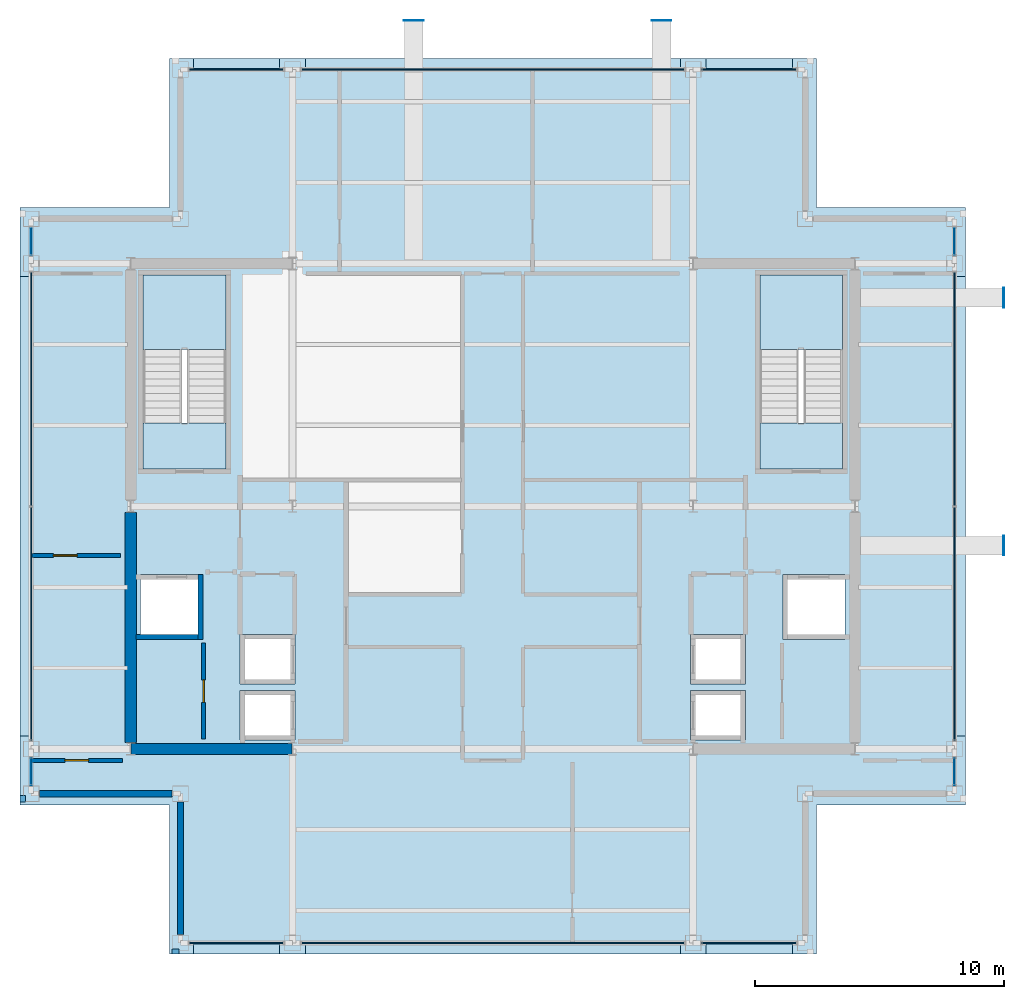
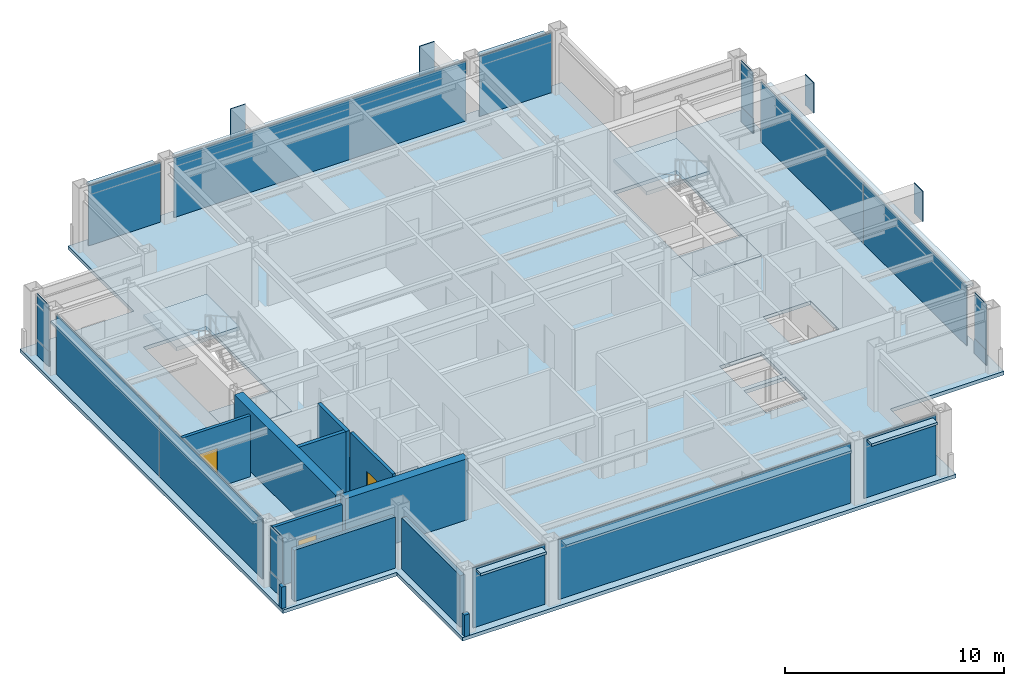
# One storey, part 16 of 20: 30 plates, 11 walls, 5 slabs, 3 doors, 3 openings, 14 elements without a shape of their own.
"""IFC4 building model written with IfcOpenShell, lengths in metres."""

import ifcopenshell
import ifcopenshell.guid

model = None  # the IFC model being written
_history = None  # IfcOwnerHistory: only IFC2X3 demands one
_inside = {}  # id of a spatial element -> (the spatial element, [elements in it])
_under = {}  # id of a project, library or spatial element -> (it, [spatial elements below it])
_declared = {}  # id of a project -> (the project, [libraries it declares])
_typed = {}  # id of a type object -> (the type object, [elements of that type])
_made_of = {}  # id of a material, layer set ... -> (it, [elements and type objects made of it])


def new_model(schema):
    """Start an empty IFC model of exactly this schema.

    Asked for "IFC4X3", IfcOpenShell would pick the latest addendum, in which some entities
    have other attributes; the version numbers below select the first issue.
    IFC2X3 requires an IfcOwnerHistory on every rooted entity: one is made here for all.
    """
    global model, _history
    if schema == "IFC4X3":
        model = ifcopenshell.file(schema_version=(4, 3, 0, 0))
    else:
        model = ifcopenshell.file(schema=schema)
    _inside.clear()
    _under.clear()
    _declared.clear()
    _typed.clear()
    _made_of.clear()
    _history = None
    if model.schema == "IFC2X3":
        org = make("IfcOrganization", Name="unknown")
        user = make(
            "IfcPersonAndOrganization",
            ThePerson=make("IfcPerson", FamilyName="unknown"),
            TheOrganization=org,
        )
        app = make(
            "IfcApplication",
            ApplicationDeveloper=org,
            Version="unknown",
            ApplicationFullName="unknown",
            ApplicationIdentifier="unknown",
        )
        _history = make(
            "IfcOwnerHistory",
            OwningUser=user,
            OwningApplication=app,
            ChangeAction="ADDED",
            CreationDate=0,
        )
    return model


def make(cls, **values):
    """One entity of the class cls with the attributes given. An attribute that is None is left unset."""
    return model.create_entity(
        cls, **{name: value for name, value in values.items() if value is not None}
    )


def rooted(cls, **values):
    """An entity with a GlobalId (a new one), such as an element, a storey or a relation."""
    return make(cls, GlobalId=ifcopenshell.guid.new(), OwnerHistory=_history, **values)


def si_unit(unit_type, name, prefix=None):
    """IfcSIUnit, for example si_unit("LENGTHUNIT", "METRE", prefix="MILLI")."""
    return make("IfcSIUnit", UnitType=unit_type, Prefix=prefix, Name=name)


def assignment(units):
    """IfcUnitAssignment: the units of a project."""
    return None if units is None else make("IfcUnitAssignment", Units=units)


def point(xyz):
    """IfcCartesianPoint."""
    return None if xyz is None else make("IfcCartesianPoint", Coordinates=xyz)


def direction(xyz):
    """IfcDirection."""
    return None if xyz is None else make("IfcDirection", DirectionRatios=xyz)


def frame(location, z_axis=None, x_axis=None):
    """IfcAxis2Placement3D, a coordinate frame: its origin and axes. An axis left out is left unset."""
    return make(
        "IfcAxis2Placement3D",
        Location=point(location),
        Axis=direction(z_axis),
        RefDirection=direction(x_axis),
    )


def frame_2d(location, x_axis=None):
    """IfcAxis2Placement2D, a coordinate frame in the plane: its origin and x axis."""
    return make(
        "IfcAxis2Placement2D", Location=point(location), RefDirection=direction(x_axis)
    )


def origin():
    """The frame at (0, 0, 0) with its axes left unset."""
    return frame((0.0, 0.0, 0.0))


def origin_2d():
    """The frame at (0, 0) in the plane with its x axis left unset."""
    return frame_2d((0.0, 0.0))


def place(relative_to, where):
    """IfcLocalPlacement: puts the frame where relative to a parent placement (None: the world)."""
    return make(
        "IfcLocalPlacement", PlacementRelTo=relative_to, RelativePlacement=where
    )


def context(
    kind, dimensions, precision=None, world=None, true_north=None, identifier=None
):
    """IfcGeometricRepresentationContext, for example the 3D "Model" context."""
    return make(
        "IfcGeometricRepresentationContext",
        ContextIdentifier=identifier,
        ContextType=kind,
        CoordinateSpaceDimension=dimensions,
        Precision=precision,
        WorldCoordinateSystem=world,
        TrueNorth=true_north,
    )


def subcontext(parent, identifier, kind, view, scale=None):
    """IfcGeometricRepresentationSubContext, for example "Body" below "Model"."""
    return make(
        "IfcGeometricRepresentationSubContext",
        ContextIdentifier=identifier,
        ContextType=kind,
        ParentContext=parent,
        TargetScale=scale,
        TargetView=view,
    )


def project(units=None, contexts=None):
    """IfcProject with its units and contexts."""
    return rooted(
        "IfcProject",
        Name="project",
        RepresentationContexts=contexts,
        UnitsInContext=assignment(units),
    )


def spatial(cls, under=None, at=None, **own):
    """A site, building, storey or space (cls), placed at a placement, below another one or the project."""
    s = rooted(cls, ObjectPlacement=at, **own)
    if under is not None:
        _under.setdefault(under.id(), (under, []))[1].append(s)
    return s


def polyline(points):
    """IfcPolyline through the points."""
    return make("IfcPolyline", Points=[point(p) for p in points])


def profile(cls, at=None, kind="AREA", **sizes):
    """A parametric profile (cls). Its sizes go by their IFC names, for example OverallWidth=200.0."""
    return make(cls, ProfileType=kind, Position=at, **sizes)


def rectangle(**sizes):
    """IfcRectangleProfileDef."""
    return profile("IfcRectangleProfileDef", **sizes)


def outline(outer, holes=None, kind="AREA"):
    """IfcArbitraryClosedProfileDef: a profile drawn as a closed curve; with holes, ...WithVoids."""
    if holes is None:
        return make("IfcArbitraryClosedProfileDef", ProfileType=kind, OuterCurve=outer)
    return make(
        "IfcArbitraryProfileDefWithVoids",
        ProfileType=kind,
        OuterCurve=outer,
        InnerCurves=holes,
    )


def extrude(swept, where, along, depth):
    """IfcExtrudedAreaSolid: the profile swept, set in the frame where, extruded along a direction by depth."""
    return make(
        "IfcExtrudedAreaSolid",
        SweptArea=swept,
        Position=where,
        ExtrudedDirection=direction(along),
        Depth=depth,
    )


def shape(context_of_items, identifier, shape_type, items):
    """IfcShapeRepresentation: the items that make up one representation, for example the "Body"."""
    return make(
        "IfcShapeRepresentation",
        ContextOfItems=context_of_items,
        RepresentationIdentifier=identifier,
        RepresentationType=shape_type,
        Items=items,
    )


def material(Name=None, Category=None):
    """IfcMaterial."""
    return make("IfcMaterial", Name=Name, Category=Category)


def layer(
    of_material, thickness, ventilated=None, Name=None, Category=None, Priority=None
):
    """IfcMaterialLayer: one layer of a wall or slab, of a material (None: an air gap)."""
    return make(
        "IfcMaterialLayer",
        Material=of_material,
        LayerThickness=thickness,
        IsVentilated=ventilated,
        Name=Name,
        Category=Category,
        Priority=Priority,
    )


def layer_set(layers, Name=None):
    """IfcMaterialLayerSet."""
    return make("IfcMaterialLayerSet", MaterialLayers=layers, LayerSetName=Name)


def made_of(thing, what):
    """Note that an element or type object is made of a material, layer set ...; save() writes the relation."""
    if what is not None:
        _made_of.setdefault(what.id(), (what, []))[1].append(thing)
    return thing


def type_object(cls, material=None, **own):
    """A type object (cls), such as IfcWallType, which elements share."""
    return made_of(rooted(cls, **own), material)


def element(
    cls,
    number,
    at=None,
    inside=None,
    cuts=None,
    type_object=None,
    material=None,
    context=None,
    identifier="Body",
    shape_type=None,
    held_by="IfcProductDefinitionShape",
    body=None,
    shapes=None,
    **own,
):
    """One element of the class cls, such as IfcWall. Its Tag is "e" and its number.

    at: its placement. inside: the storey or other place that contains it. cuts: it is an
    opening in that element (IfcRelVoidsElement). A single representation is given by context,
    identifier, shape_type and body (its items); several are given by shapes. held_by: the class
    of the entity that holds the representations. save() writes the other relations.
    """
    e = rooted(cls, Tag="e%d" % number, ObjectPlacement=at, **own)
    if body is not None:
        shapes = [shape(context, identifier, shape_type, body)]
    if shapes is not None:
        e.Representation = make(held_by, Representations=shapes)
    if inside is not None:
        _inside.setdefault(inside.id(), (inside, []))[1].append(e)
    if cuts is not None:
        rooted(
            "IfcRelVoidsElement", RelatingBuildingElement=cuts, RelatedOpeningElement=e
        )
    if type_object is not None:
        _typed.setdefault(type_object.id(), (type_object, []))[1].append(e)
    return made_of(e, material)


def fill(opening, filler):
    """IfcRelFillsElement: the door or window that sits in an opening."""
    return rooted(
        "IfcRelFillsElement",
        RelatingOpeningElement=opening,
        RelatedBuildingElement=filler,
    )


def aggregate(whole, parts):
    """IfcRelAggregates: a whole, such as a stair, and the parts it consists of."""
    return rooted("IfcRelAggregates", RelatingObject=whole, RelatedObjects=parts)


def save(model, path):
    """Write the relations noted so far, then the file.

    IfcRelAggregates (storeys below a building ...), IfcRelContainedInSpatialStructure (elements
    in a storey), IfcRelDefinesByType, IfcRelAssociatesMaterial and IfcRelDeclares: one each for
    every whole, place, type object, material and project.
    """
    for whole, parts in _under.values():
        aggregate(whole, parts)
    for where, things in _inside.values():
        rooted(
            "IfcRelContainedInSpatialStructure",
            RelatedElements=things,
            RelatingStructure=where,
        )
    for kind, things in _typed.values():
        rooted("IfcRelDefinesByType", RelatedObjects=things, RelatingType=kind)
    for what, things in _made_of.values():
        rooted("IfcRelAssociatesMaterial", RelatedObjects=things, RelatingMaterial=what)
    for by, libraries in _declared.values():
        rooted("IfcRelDeclares", RelatingContext=by, RelatedDefinitions=libraries)
    model.write(path)


model = new_model("IFC4")

# Units and contexts
model_context = context("Model", 3, precision=1e-05, world=origin(), true_north=direction((0.0, 1.0)))
body_context = subcontext(model_context, "Body", "Model", "MODEL_VIEW")
ifc_project = project(units=[si_unit("LENGTHUNIT", "METRE"), si_unit("AREAUNIT", "SQUARE_METRE"), si_unit("VOLUMEUNIT", "CUBIC_METRE"), si_unit("PLANEANGLEUNIT", "RADIAN"), si_unit("MASSUNIT", "GRAM", prefix="KILO")], contexts=[model_context])

# Site, building, storey
site_placement = place(None, origin())
site = spatial("IfcSite", under=ifc_project, at=site_placement, CompositionType="ELEMENT")
building_placement = place(site_placement, origin())
building = spatial("IfcBuilding", under=site, at=building_placement, Name="Brelmoor Portico Tower", CompositionType="ELEMENT")
storey_placement = place(building_placement, frame((0.0, 0.0, 218.39990234375)))
storey = spatial("IfcBuildingStorey", under=building, at=storey_placement, Name="L57", CompositionType="ELEMENT", Elevation=218.39990234375)

# Plates
ifc_material_1 = material(Name="Steel Q355B", Category="steel")
ifc_layer_1 = layer(ifc_material_1, 0.044921875)
ifc_layer_set_1 = layer_set([ifc_layer_1], Name="Steel Q355B")
plate_type_1 = type_object("IfcPlateType", Name="PT-CAP-650", PredefinedType="SHEET", material=ifc_layer_set_1)
for number, where, z_axis, x_axis, name in (
    (1, (-3.179931640625, 19.52001953125, 1.72021484375), (0.0, 0.0, 1.0), (1.0, 0.0, 0.0), "L57 Picture-Frame Cantilever End Cap Plate PFB-01"),
    (2, (6.780029296875, 19.52001953125, 1.72021484375), (0.0, 0.0, 1.0), (1.0, 0.0, 0.0), "L57 Picture-Frame Cantilever End Cap Plate PFB-02"),
):
    element("IfcPlate", number, at=place(storey_placement, frame(where, z_axis=z_axis, x_axis=x_axis)), inside=storey, type_object=plate_type_1, Name=name, PredefinedType="SHEET", context=body_context, shape_type="SweptSolid", body=[
        extrude(rectangle(XDim=0.7900390625, YDim=0.0400390625, at=origin_2d()), origin(), (0.0, 0.0, 1.0), 1.699951171875),
    ])
for number, where, z_axis, x_axis, name in (
    (3, (20.52001953125, -1.580078125, 1.72021484375), (0.0, 0.0, 1.0), (1.0, 0.0, 0.0), "L57 Picture-Frame Cantilever End Cap Plate PFB-03"),
    (4, (20.52001953125, 8.3798828125, 1.72021484375), (0.0, 0.0, 1.0), (1.0, 0.0, 0.0), "L57 Picture-Frame Cantilever End Cap Plate PFB-04"),
):
    element("IfcPlate", number, at=place(storey_placement, frame(where, z_axis=z_axis, x_axis=x_axis)), inside=storey, type_object=plate_type_1, Name=name, PredefinedType="SHEET", context=body_context, shape_type="SweptSolid", body=[
        extrude(rectangle(XDim=0.0400390625, YDim=0.7900390625, at=origin_2d()), origin(), (0.0, 0.0, 1.0), 1.699951171875),
    ])

# Curtain wall, plate
ifc_material_2 = material(Name="Anodised Aluminium Alloy 6063-T6", Category="aluminium")
ifc_layer_2 = layer(ifc_material_2, 0.179931640625)
ifc_layer_set_2 = layer_set([ifc_layer_2], Name="Anodised Aluminium Alloy 6063-T6")
curtain_wall_type_1 = type_object("IfcCurtainWallType", Name="CW-TOWER-Z4", PredefinedType="NOTDEFINED", material=ifc_layer_set_2)
curtain_wall_1_placement = place(storey_placement, origin())
curtain_wall_1 = element("IfcCurtainWall", 5, at=curtain_wall_1_placement, inside=storey, type_object=curtain_wall_type_1, Name="L57 Curtain Wall CW-L57-03-1", PredefinedType="NOTDEFINED")
ifc_material_3 = material(Name="Double-Silver Low-E Insulated Glazing", Category="glass")
ifc_layer_3 = layer(ifc_material_3, 0.035888671875)
ifc_layer_set_3 = layer_set([ifc_layer_3], Name="Double-Silver Low-E Insulated Glazing")
plate_type_2 = type_object("IfcPlateType", Name="PT-CW-GLASS", PredefinedType="CURTAIN_PANEL", material=ifc_layer_set_3)
plate_1_placement = place(storey_placement, frame((-18.550048828125, -10.64990234375, 0.85009765625), z_axis=(0.0, 0.0, 1.0), x_axis=(0.0, 1.0, 0.0)))
plate_1 = element("IfcPlate", 6, at=plate_1_placement, type_object=plate_type_2, Name="CW-L57-03-1 Vision Glass Panel 00", PredefinedType="CURTAIN_PANEL", context=body_context, shape_type="SweptSolid", body=[
    extrude(rectangle(XDim=1.10009765625, YDim=0.035888671875, at=origin_2d()), origin(), (0.0, 0.0, 1.0), 2.550048828125),
])

curtain_wall_2_placement = place(storey_placement, origin())
curtain_wall_2 = element("IfcCurtainWall", 7, at=curtain_wall_2_placement, inside=storey, type_object=curtain_wall_type_1, Name="L57 Curtain Wall CW-L57-03-3", PredefinedType="NOTDEFINED")
plate_2_placement = place(storey_placement, frame((-18.550048828125, 10.64990234375, 0.85009765625), z_axis=(0.0, 0.0, 1.0), x_axis=(0.0, 1.0, 0.0)))
plate_2 = element("IfcPlate", 8, at=plate_2_placement, type_object=plate_type_2, Name="CW-L57-03-3 Vision Glass Panel 00", PredefinedType="CURTAIN_PANEL", context=body_context, shape_type="SweptSolid", body=[
    extrude(rectangle(XDim=1.10009765625, YDim=0.035888671875, at=origin_2d()), origin(), (0.0, 0.0, 1.0), 2.550048828125),
])

curtain_wall_3_placement = place(storey_placement, origin())
curtain_wall_3 = element("IfcCurtainWall", 9, at=curtain_wall_3_placement, inside=storey, type_object=curtain_wall_type_1, Name="L57 Curtain Wall CW-L57-04-1", PredefinedType="NOTDEFINED")
plate_3_placement = place(storey_placement, frame((18.550048828125, -10.64990234375, 0.85009765625), z_axis=(0.0, 0.0, 1.0), x_axis=(0.0, 1.0, 0.0)))
plate_3 = element("IfcPlate", 10, at=plate_3_placement, type_object=plate_type_2, Name="CW-L57-04-1 Vision Glass Panel 00", PredefinedType="CURTAIN_PANEL", context=body_context, shape_type="SweptSolid", body=[
    extrude(rectangle(XDim=1.10009765625, YDim=0.035888671875, at=origin_2d()), origin(), (0.0, 0.0, 1.0), 2.550048828125),
])

curtain_wall_4_placement = place(storey_placement, origin())
curtain_wall_4 = element("IfcCurtainWall", 11, at=curtain_wall_4_placement, inside=storey, type_object=curtain_wall_type_1, Name="L57 Curtain Wall CW-L57-04-3", PredefinedType="NOTDEFINED")
plate_4_placement = place(storey_placement, frame((18.550048828125, 10.64990234375, 0.85009765625), z_axis=(0.0, 0.0, 1.0), x_axis=(0.0, 1.0, 0.0)))
plate_4 = element("IfcPlate", 12, at=plate_4_placement, type_object=plate_type_2, Name="CW-L57-04-3 Vision Glass Panel 00", PredefinedType="CURTAIN_PANEL", context=body_context, shape_type="SweptSolid", body=[
    extrude(rectangle(XDim=1.10009765625, YDim=0.035888671875, at=origin_2d()), origin(), (0.0, 0.0, 1.0), 2.550048828125),
])

ifc_layer_4 = layer(ifc_material_2, 0.179931640625)
ifc_layer_set_4 = layer_set([ifc_layer_4], Name="Anodised Aluminium Alloy 6063-T6")
curtain_wall_type_2 = type_object("IfcCurtainWallType", Name="CW-TOWER-Z4-XB", PredefinedType="NOTDEFINED", material=ifc_layer_set_4)
curtain_wall_5_placement = place(storey_placement, origin())
curtain_wall_5 = element("IfcCurtainWall", 13, at=curtain_wall_5_placement, inside=storey, type_object=curtain_wall_type_2, Name="L57 Curtain Wall CW-L57-01-1", PredefinedType="NOTDEFINED")
ifc_material_4 = material(Name="Pale Champagne Anodised Aluminium Panel", Category="aluminium")
ifc_layer_5 = layer(ifc_material_4, 0.050048828125)
ifc_layer_set_5 = layer_set([ifc_layer_5], Name="Pale Champagne Anodised Aluminium Panel")
plate_type_3 = type_object("IfcPlateType", Name="PT-CW-SPANDREL", PredefinedType="SHEET", material=ifc_layer_set_5)
plate_5_placement = place(storey_placement, frame((-10.300048828125, -17.550048828125, 0.0), z_axis=(0.0, 0.0, 1.0), x_axis=(1.0, 0.0, 0.0)))
plate_5 = element("IfcPlate", 14, at=plate_5_placement, type_object=plate_type_3, Name="CW-L57-01-1 Spandrel Panel 00", PredefinedType="SHEET", context=body_context, shape_type="SweptSolid", body=[
    extrude(rectangle(XDim=3.800048828125, YDim=0.050048828125, at=origin_2d()), origin(), (0.0, 0.0, 1.0), 3.33740234375),
])
aggregate(curtain_wall_5, [plate_5])

curtain_wall_6_placement = place(storey_placement, origin())
curtain_wall_6 = element("IfcCurtainWall", 15, at=curtain_wall_6_placement, inside=storey, type_object=curtain_wall_type_2, Name="L57 Curtain Wall CW-L57-01-2", PredefinedType="NOTDEFINED")
plate_6_placement = place(storey_placement, frame((0.0, -17.550048828125, 0.0), z_axis=(0.0, 0.0, 1.0), x_axis=(1.0, 0.0, 0.0)))
plate_6 = element("IfcPlate", 16, at=plate_6_placement, type_object=plate_type_3, Name="CW-L57-01-2 Spandrel Panel 00", PredefinedType="SHEET", context=body_context, shape_type="SweptSolid", body=[
    extrude(rectangle(XDim=15.39990234375, YDim=0.050048828125, at=origin_2d()), origin(), (0.0, 0.0, 1.0), 3.33740234375),
])
aggregate(curtain_wall_6, [plate_6])

curtain_wall_7_placement = place(storey_placement, origin())
curtain_wall_7 = element("IfcCurtainWall", 17, at=curtain_wall_7_placement, inside=storey, type_object=curtain_wall_type_2, Name="L57 Curtain Wall CW-L57-01-3", PredefinedType="NOTDEFINED")
plate_7_placement = place(storey_placement, frame((10.300048828125, -17.550048828125, 0.0), z_axis=(0.0, 0.0, 1.0), x_axis=(1.0, 0.0, 0.0)))
plate_7 = element("IfcPlate", 18, at=plate_7_placement, type_object=plate_type_3, Name="CW-L57-01-3 Spandrel Panel 00", PredefinedType="SHEET", context=body_context, shape_type="SweptSolid", body=[
    extrude(rectangle(XDim=3.800048828125, YDim=0.050048828125, at=origin_2d()), origin(), (0.0, 0.0, 1.0), 3.33740234375),
])
aggregate(curtain_wall_7, [plate_7])

curtain_wall_8_placement = place(storey_placement, origin())
curtain_wall_8 = element("IfcCurtainWall", 19, at=curtain_wall_8_placement, inside=storey, type_object=curtain_wall_type_2, Name="L57 Curtain Wall CW-L57-02-1", PredefinedType="NOTDEFINED")
plate_8_placement = place(storey_placement, frame((-10.300048828125, 17.550048828125, 0.0), z_axis=(0.0, 0.0, 1.0), x_axis=(1.0, 0.0, 0.0)))
plate_8 = element("IfcPlate", 20, at=plate_8_placement, type_object=plate_type_3, Name="CW-L57-02-1 Spandrel Panel 00", PredefinedType="SHEET", context=body_context, shape_type="SweptSolid", body=[
    extrude(rectangle(XDim=3.800048828125, YDim=0.050048828125, at=origin_2d()), origin(), (0.0, 0.0, 1.0), 3.33740234375),
])
aggregate(curtain_wall_8, [plate_8])

curtain_wall_9_placement = place(storey_placement, origin())
curtain_wall_9 = element("IfcCurtainWall", 21, at=curtain_wall_9_placement, inside=storey, type_object=curtain_wall_type_2, Name="L57 Curtain Wall CW-L57-02-2", PredefinedType="NOTDEFINED")
plate_9_placement = place(storey_placement, frame((0.0, 17.550048828125, 0.0), z_axis=(0.0, 0.0, 1.0), x_axis=(1.0, 0.0, 0.0)))
plate_9 = element("IfcPlate", 22, at=plate_9_placement, type_object=plate_type_3, Name="CW-L57-02-2 Spandrel Panel 00", PredefinedType="SHEET", context=body_context, shape_type="SweptSolid", body=[
    extrude(rectangle(XDim=15.39990234375, YDim=0.050048828125, at=origin_2d()), origin(), (0.0, 0.0, 1.0), 3.33740234375),
])
aggregate(curtain_wall_9, [plate_9])

curtain_wall_10_placement = place(storey_placement, origin())
curtain_wall_10 = element("IfcCurtainWall", 23, at=curtain_wall_10_placement, inside=storey, type_object=curtain_wall_type_2, Name="L57 Curtain Wall CW-L57-02-3", PredefinedType="NOTDEFINED")
plate_10_placement = place(storey_placement, frame((10.300048828125, 17.550048828125, 0.0), z_axis=(0.0, 0.0, 1.0), x_axis=(1.0, 0.0, 0.0)))
plate_10 = element("IfcPlate", 24, at=plate_10_placement, type_object=plate_type_3, Name="CW-L57-02-3 Spandrel Panel 00", PredefinedType="SHEET", context=body_context, shape_type="SweptSolid", body=[
    extrude(rectangle(XDim=3.800048828125, YDim=0.050048828125, at=origin_2d()), origin(), (0.0, 0.0, 1.0), 3.33740234375),
])
aggregate(curtain_wall_10, [plate_10])

# Plate
plate_11_placement = place(storey_placement, frame((-18.550048828125, -10.64990234375, 0.0), z_axis=(0.0, 0.0, 1.0), x_axis=(0.0, 1.0, 0.0)))
plate_11 = element("IfcPlate", 25, at=plate_11_placement, type_object=plate_type_3, Name="CW-L57-03-1 Spandrel Panel 00", PredefinedType="SHEET", context=body_context, shape_type="SweptSolid", body=[
    extrude(rectangle(XDim=1.10009765625, YDim=0.050048828125, at=origin_2d()), origin(), (0.0, 0.0, 1.0), 0.85009765625),
])

aggregate(curtain_wall_1, [plate_11, plate_1])

# Curtain wall, plates
curtain_wall_11_placement = place(storey_placement, origin())
curtain_wall_11 = element("IfcCurtainWall", 26, at=curtain_wall_11_placement, inside=storey, type_object=curtain_wall_type_2, Name="L57 Curtain Wall CW-L57-03-2", PredefinedType="NOTDEFINED")
plate_12_placement = place(storey_placement, frame((-18.550048828125, -4.70751953125, 0.0), z_axis=(0.0, 0.0, 1.0), x_axis=(0.0, 1.0, 0.0)))
plate_12 = element("IfcPlate", 27, at=plate_12_placement, type_object=plate_type_3, Name="CW-L57-03-2 Spandrel Panel 00", PredefinedType="SHEET", context=body_context, shape_type="SweptSolid", body=[
    extrude(rectangle(XDim=9.385009765625, YDim=0.050048828125, at=origin_2d()), origin(), (0.0, 0.0, 1.0), 3.33740234375),
])
plate_13_placement = place(storey_placement, frame((-18.550048828125, 4.70751953125, 0.0), z_axis=(0.0, 0.0, 1.0), x_axis=(0.0, 1.0, 0.0)))
plate_13 = element("IfcPlate", 28, at=plate_13_placement, type_object=plate_type_3, Name="CW-L57-03-2 Spandrel Panel 01", PredefinedType="SHEET", context=body_context, shape_type="SweptSolid", body=[
    extrude(rectangle(XDim=9.385009765625, YDim=0.050048828125, at=origin_2d()), origin(), (0.0, 0.0, 1.0), 3.33740234375),
])
aggregate(curtain_wall_11, [plate_12, plate_13])

# Plate
plate_14_placement = place(storey_placement, frame((-18.550048828125, 10.64990234375, 0.0), z_axis=(0.0, 0.0, 1.0), x_axis=(0.0, 1.0, 0.0)))
plate_14 = element("IfcPlate", 29, at=plate_14_placement, type_object=plate_type_3, Name="CW-L57-03-3 Spandrel Panel 00", PredefinedType="SHEET", context=body_context, shape_type="SweptSolid", body=[
    extrude(rectangle(XDim=1.10009765625, YDim=0.050048828125, at=origin_2d()), origin(), (0.0, 0.0, 1.0), 0.85009765625),
])

aggregate(curtain_wall_2, [plate_14, plate_2])

plate_15_placement = place(storey_placement, frame((18.550048828125, -10.64990234375, 0.0), z_axis=(0.0, 0.0, 1.0), x_axis=(0.0, 1.0, 0.0)))
plate_15 = element("IfcPlate", 30, at=plate_15_placement, type_object=plate_type_3, Name="CW-L57-04-1 Spandrel Panel 00", PredefinedType="SHEET", context=body_context, shape_type="SweptSolid", body=[
    extrude(rectangle(XDim=1.10009765625, YDim=0.050048828125, at=origin_2d()), origin(), (0.0, 0.0, 1.0), 0.85009765625),
])

aggregate(curtain_wall_3, [plate_15, plate_3])

# Curtain wall, plates
curtain_wall_12_placement = place(storey_placement, origin())
curtain_wall_12 = element("IfcCurtainWall", 31, at=curtain_wall_12_placement, inside=storey, type_object=curtain_wall_type_2, Name="L57 Curtain Wall CW-L57-04-2", PredefinedType="NOTDEFINED")
plate_16_placement = place(storey_placement, frame((18.550048828125, -4.70751953125, 0.0), z_axis=(0.0, 0.0, 1.0), x_axis=(0.0, 1.0, 0.0)))
plate_16 = element("IfcPlate", 32, at=plate_16_placement, type_object=plate_type_3, Name="CW-L57-04-2 Spandrel Panel 00", PredefinedType="SHEET", context=body_context, shape_type="SweptSolid", body=[
    extrude(rectangle(XDim=9.385009765625, YDim=0.050048828125, at=origin_2d()), origin(), (0.0, 0.0, 1.0), 3.33740234375),
])
plate_17_placement = place(storey_placement, frame((18.550048828125, 4.70751953125, 0.0), z_axis=(0.0, 0.0, 1.0), x_axis=(0.0, 1.0, 0.0)))
plate_17 = element("IfcPlate", 33, at=plate_17_placement, type_object=plate_type_3, Name="CW-L57-04-2 Spandrel Panel 01", PredefinedType="SHEET", context=body_context, shape_type="SweptSolid", body=[
    extrude(rectangle(XDim=9.385009765625, YDim=0.050048828125, at=origin_2d()), origin(), (0.0, 0.0, 1.0), 3.33740234375),
])
aggregate(curtain_wall_12, [plate_16, plate_17])

# Plate
plate_18_placement = place(storey_placement, frame((18.550048828125, 10.64990234375, 0.0), z_axis=(0.0, 0.0, 1.0), x_axis=(0.0, 1.0, 0.0)))
plate_18 = element("IfcPlate", 34, at=plate_18_placement, type_object=plate_type_3, Name="CW-L57-04-3 Spandrel Panel 00", PredefinedType="SHEET", context=body_context, shape_type="SweptSolid", body=[
    extrude(rectangle(XDim=1.10009765625, YDim=0.050048828125, at=origin_2d()), origin(), (0.0, 0.0, 1.0), 0.85009765625),
])

aggregate(curtain_wall_4, [plate_18, plate_4])

# Plates
ifc_material_5 = material(Name="Pale Champagne Perforated Aluminium Solar Screen", Category="aluminium")
ifc_layer_6 = layer(ifc_material_5, 0.054931640625)
ifc_layer_set_6 = layer_set([ifc_layer_6], Name="Pale Champagne Perforated Aluminium Solar Screen")
plate_type_4 = type_object("IfcPlateType", Name="PT-SOLAR-LOUVRE", PredefinedType="SHEET", material=ifc_layer_set_6)
plate_19_placement = place(storey_placement, frame((-10.300048828125, -17.760009765625, 3.09033203125), z_axis=(0.0, 0.0, 1.0), x_axis=(1.0, 0.0, 0.0)))
element("IfcPlate", 35, at=plate_19_placement, inside=storey, type_object=plate_type_4, Name="CW-L57-01-1 Caribbean Brise-Soleil Solar Screen", PredefinedType="SHEET", context=body_context, shape_type="SweptSolid", body=[
    extrude(rectangle(XDim=3.469970703125, YDim=0.4599609375, at=origin_2d()), origin(), (0.0, 0.0, 1.0), 0.139892578125),
])
plate_20_placement = place(storey_placement, frame((0.0, -17.760009765625, 3.09033203125), z_axis=(0.0, 0.0, 1.0), x_axis=(1.0, 0.0, 0.0)))
element("IfcPlate", 36, at=plate_20_placement, inside=storey, type_object=plate_type_4, Name="CW-L57-01-2 Caribbean Brise-Soleil Solar Screen", PredefinedType="SHEET", context=body_context, shape_type="SweptSolid", body=[
    extrude(rectangle(XDim=15.070068359375, YDim=0.4599609375, at=origin_2d()), origin(), (0.0, 0.0, 1.0), 0.139892578125),
])
for number, where, z_axis, x_axis, name in (
    (37, (10.300048828125, -17.760009765625, 3.09033203125), (0.0, 0.0, 1.0), (1.0, 0.0, 0.0), "CW-L57-01-3 Caribbean Brise-Soleil Solar Screen"),
    (38, (-10.300048828125, 17.760009765625, 3.09033203125), (0.0, 0.0, 1.0), (1.0, 0.0, 0.0), "CW-L57-02-1 Caribbean Brise-Soleil Solar Screen"),
):
    element("IfcPlate", number, at=place(storey_placement, frame(where, z_axis=z_axis, x_axis=x_axis)), inside=storey, type_object=plate_type_4, Name=name, PredefinedType="SHEET", context=body_context, shape_type="SweptSolid", body=[
        extrude(rectangle(XDim=3.469970703125, YDim=0.4599609375, at=origin_2d()), origin(), (0.0, 0.0, 1.0), 0.139892578125),
    ])
plate_21_placement = place(storey_placement, frame((0.0, 17.760009765625, 3.09033203125), z_axis=(0.0, 0.0, 1.0), x_axis=(1.0, 0.0, 0.0)))
element("IfcPlate", 39, at=plate_21_placement, inside=storey, type_object=plate_type_4, Name="CW-L57-02-2 Caribbean Brise-Soleil Solar Screen", PredefinedType="SHEET", context=body_context, shape_type="SweptSolid", body=[
    extrude(rectangle(XDim=15.070068359375, YDim=0.4599609375, at=origin_2d()), origin(), (0.0, 0.0, 1.0), 0.139892578125),
])
plate_22_placement = place(storey_placement, frame((10.300048828125, 17.760009765625, 3.09033203125), z_axis=(0.0, 0.0, 1.0), x_axis=(1.0, 0.0, 0.0)))
element("IfcPlate", 40, at=plate_22_placement, inside=storey, type_object=plate_type_4, Name="CW-L57-02-3 Caribbean Brise-Soleil Solar Screen", PredefinedType="SHEET", context=body_context, shape_type="SweptSolid", body=[
    extrude(rectangle(XDim=3.469970703125, YDim=0.4599609375, at=origin_2d()), origin(), (0.0, 0.0, 1.0), 0.139892578125),
])
for number, where, z_axis, x_axis, name in (
    (41, (-18.760009765625, 0.0, 3.09033203125), (0.0, 0.0, 1.0), (0.0, 1.0, 0.0), "CW-L57-03-2 Caribbean Brise-Soleil Solar Screen"),
    (42, (18.760009765625, 0.0, 3.09033203125), (0.0, 0.0, 1.0), (0.0, 1.0, 0.0), "CW-L57-04-2 Caribbean Brise-Soleil Solar Screen"),
):
    element("IfcPlate", number, at=place(storey_placement, frame(where, z_axis=z_axis, x_axis=x_axis)), inside=storey, type_object=plate_type_4, Name=name, PredefinedType="SHEET", context=body_context, shape_type="SweptSolid", body=[
        extrude(rectangle(XDim=18.469970703125, YDim=0.4599609375, at=origin_2d()), origin(), (0.0, 0.0, 1.0), 0.139892578125),
    ])

# Slab
ifc_material_6 = material(Name="Concrete C40", Category="concrete")
ifc_layer_7 = layer(ifc_material_6, 0.199951171875)
ifc_layer_set_7 = layer_set([ifc_layer_7], Name="Concrete C40")
slab_type_1 = type_object("IfcSlabType", Name="SL-FLOOR-200", PredefinedType="FLOOR", material=ifc_layer_set_7)
slab_1_placement = place(storey_placement, frame((0.0, 0.0, -0.199951171875)))
element("IfcSlab", 43, at=slab_1_placement, inside=storey, type_object=slab_type_1, Name="L57 Main Structural Floor Slab", PredefinedType="FLOOR", context=body_context, shape_type="SweptSolid", body=[
    extrude(outline(polyline([(-13.0, -18.0), (13.0, -18.0), (13.0, -12.0), (19.0, -12.0), (19.0, 12.0), (13.0, 12.0), (13.0, 18.0), (-13.0, 18.0), (-13.0, 12.0), (-19.0, 12.0), (-19.0, -12.0), (-13.0, -12.0), (-13.0, -18.0)]), holes=[polyline([(-10.72998046875, 1.5), (-10.72998046875, 9.300048828125), (-14.050048828125, 9.300048828125), (-14.050048828125, 1.5), (-10.72998046875, 1.5)]), polyline([(14.050048828125, 1.5), (14.050048828125, 9.300048828125), (10.72998046875, 9.300048828125), (10.72998046875, 1.5), (14.050048828125, 1.5)]), polyline([(-10.14990234375, -9.39990234375), (-7.949951171875, -9.39990234375), (-7.949951171875, -7.39990234375), (-10.14990234375, -7.39990234375), (-10.14990234375, -9.39990234375)]), polyline([(-10.14990234375, -7.14990234375), (-7.949951171875, -7.14990234375), (-7.949951171875, -5.14990234375), (-10.14990234375, -5.14990234375), (-10.14990234375, -7.14990234375)]), polyline([(7.949951171875, -9.39990234375), (10.14990234375, -9.39990234375), (10.14990234375, -7.39990234375), (7.949951171875, -7.39990234375), (7.949951171875, -9.39990234375)]), polyline([(7.949951171875, -7.14990234375), (10.14990234375, -7.14990234375), (10.14990234375, -5.14990234375), (7.949951171875, -5.14990234375), (7.949951171875, -7.14990234375)]), polyline([(-14.14990234375, -5.35009765625), (-11.64990234375, -5.35009765625), (-11.64990234375, -2.75), (-14.14990234375, -2.75), (-14.14990234375, -5.35009765625)]), polyline([(11.64990234375, -5.35009765625), (14.14990234375, -5.35009765625), (14.14990234375, -2.75), (11.64990234375, -2.75), (11.64990234375, -5.35009765625)])]), origin(), (0.0, 0.0, 1.0), 0.199951171875),
])

# Stair, slab
stair_type_1 = type_object("IfcStairType", Name="ST-CORE-W", PredefinedType="HALF_TURN_STAIR", material=ifc_material_6)
stair_1_placement = place(storey_placement, origin())
stair_1 = element("IfcStair", 44, at=stair_1_placement, inside=storey, type_object=stair_type_1, Name="L57 Protected Core Exit Stair ST-W", PredefinedType="HALF_TURN_STAIR")
ifc_layer_8 = layer(ifc_material_6, 0.179931640625)
ifc_layer_set_8 = layer_set([ifc_layer_8], Name="Concrete C40")
slab_type_2 = type_object("IfcSlabType", Name="SL-LANDING-180", PredefinedType="LANDING", material=ifc_layer_set_8)
slab_2_placement = place(storey_placement, frame((0.0, 0.0, 1.60009765625)))
slab_2 = element("IfcSlab", 45, at=slab_2_placement, type_object=slab_type_2, Name="ST-W landing 1", PredefinedType="LANDING", context=body_context, shape_type="SweptSolid", body=[
    extrude(outline(polyline([(-10.72998046875, 6.300048828125), (-10.72998046875, 9.300048828125), (-14.050048828125, 9.300048828125), (-14.050048828125, 6.300048828125), (-10.72998046875, 6.300048828125)])), origin(), (0.0, 0.0, 1.0), 0.199951171875),
])
aggregate(stair_1, [slab_2])

stair_type_2 = type_object("IfcStairType", Name="ST-CORE-E", PredefinedType="HALF_TURN_STAIR", material=ifc_material_6)
stair_2_placement = place(storey_placement, origin())
stair_2 = element("IfcStair", 46, at=stair_2_placement, inside=storey, type_object=stair_type_2, Name="L57 Protected Core Exit Stair ST-E", PredefinedType="HALF_TURN_STAIR")
slab_3_placement = place(storey_placement, frame((0.0, 0.0, 1.60009765625)))
slab_3 = element("IfcSlab", 47, at=slab_3_placement, type_object=slab_type_2, Name="ST-E landing 1", PredefinedType="LANDING", context=body_context, shape_type="SweptSolid", body=[
    extrude(outline(polyline([(14.050048828125, 6.300048828125), (14.050048828125, 9.300048828125), (10.72998046875, 9.300048828125), (10.72998046875, 6.300048828125), (14.050048828125, 6.300048828125)])), origin(), (0.0, 0.0, 1.0), 0.199951171875),
])
aggregate(stair_2, [slab_3])

# Slabs
ifc_layer_9 = layer(ifc_material_6, 0.199951171875)
ifc_layer_set_9 = layer_set([ifc_layer_9], Name="Concrete C40")
slab_type_3 = type_object("IfcSlabType", Name="SL-STAIR-FL200", PredefinedType="LANDING", material=ifc_layer_set_9)
slab_4_placement = place(storey_placement, frame((0.0, 0.0, -0.199951171875)))
element("IfcSlab", 48, at=slab_4_placement, inside=storey, type_object=slab_type_3, Name="L57 ST-W Structural Floor Landing Slab", PredefinedType="LANDING", context=body_context, shape_type="SweptSolid", body=[
    extrude(outline(polyline([(-10.72998046875, 1.5), (-10.72998046875, 3.35009765625), (-14.050048828125, 3.35009765625), (-14.050048828125, 1.5), (-10.72998046875, 1.5)])), origin(), (0.0, 0.0, 1.0), 0.199951171875),
])
slab_5_placement = place(storey_placement, frame((0.0, 0.0, -0.199951171875)))
element("IfcSlab", 49, at=slab_5_placement, inside=storey, type_object=slab_type_3, Name="L57 ST-E Structural Floor Landing Slab", PredefinedType="LANDING", context=body_context, shape_type="SweptSolid", body=[
    extrude(outline(polyline([(14.050048828125, 1.5), (14.050048828125, 3.35009765625), (10.72998046875, 3.35009765625), (10.72998046875, 1.5), (14.050048828125, 1.5)])), origin(), (0.0, 0.0, 1.0), 0.199951171875),
])

# Walls
ifc_material_7 = material(Name="Concrete C50", Category="concrete")
ifc_layer_10 = layer(ifc_material_7, 0.449951171875)
ifc_layer_set_10 = layer_set([ifc_layer_10], Name="Concrete C50")
wall_type_1 = type_object("IfcWallType", Name="WL-CORE-450", PredefinedType="SHEAR", material=ifc_layer_set_10)
wall_1_placement = place(storey_placement, frame((-14.530029296875, -9.75, -0.199951171875), z_axis=(0.0, 0.0, 1.0), x_axis=(1.0, 0.0, 0.0)))
element("IfcWall", 50, at=wall_1_placement, inside=storey, type_object=wall_type_1, Name="L57 WC South Shear Wall", PredefinedType="SHEAR", context=body_context, shape_type="SweptSolid", body=[
    extrude(rectangle(XDim=6.4599609375, YDim=0.449951171875, at=frame_2d((3.22998046875, 0.0))), origin(), (0.0, 0.0, 1.0), 3.60009765625),
])
wall_2_placement = place(storey_placement, frame((-14.550048828125, -9.5, -0.199951171875), z_axis=(0.0, 0.0, 1.0), x_axis=(0.0, 1.0, 0.0)))
element("IfcWall", 51, at=wall_2_placement, inside=storey, type_object=wall_type_1, Name="L57 WC Outer South Shear Wall", PredefinedType="SHEAR", context=body_context, shape_type="SweptSolid", body=[
    extrude(rectangle(XDim=9.25, YDim=0.449951171875, at=frame_2d((4.625, 0.0))), origin(), (0.0, 0.0, 1.0), 3.60009765625),
])
ifc_material_8 = material(Name="Precast Concrete C40 Insulated Facade Wall", Category="concrete")
ifc_layer_11 = layer(ifc_material_8, 0.25)
ifc_layer_set_11 = layer_set([ifc_layer_11], Name="Precast Concrete C40 Insulated Facade Wall")
wall_type_2 = type_object("IfcWallType", Name="WL-EXT-250", PredefinedType="STANDARD", material=ifc_layer_set_11)
for number, where, z_axis, x_axis, name in (
    (52, (-18.215087890625, -11.550048828125, 0.0), (0.0, 0.0, 1.0), (1.0, 0.0, 0.0), "L57 Corner Notch Facade Wall NSWH1"),
    (53, (-12.550048828125, -17.215087890625, 0.0), (0.0, 0.0, 1.0), (0.0, 1.0, 0.0), "L57 Corner Notch Facade Wall NSWV1"),
):
    element("IfcWall", number, at=place(storey_placement, frame(where, z_axis=z_axis, x_axis=x_axis)), inside=storey, type_object=wall_type_2, Name=name, PredefinedType="STANDARD", context=body_context, shape_type="SweptSolid", body=[
        extrude(rectangle(XDim=5.330078125, YDim=0.25, at=frame_2d((2.6650390625, 0.0))), origin(), (0.0, 0.0, 1.0), 2.85009765625),
    ])
ifc_material_9 = material(Name="Concrete C40 Parapet Upstand", Category="concrete")
ifc_layer_12 = layer(ifc_material_9, 0.219970703125)
ifc_layer_set_12 = layer_set([ifc_layer_12], Name="Concrete C40 Parapet Upstand")
wall_type_3 = type_object("IfcWallType", Name="WL-PARAPET-220", PredefinedType="PARAPET", material=ifc_layer_set_12)
for number, where, z_axis, x_axis, name in (
    (54, (-12.889892578125, -17.889892578125, 0.0), (0.0, 0.0, 1.0), (1.0, 0.0, 0.0), "L57 Chamfer Vertex Parapet Pier SW1"),
    (55, (-18.889892578125, -11.889892578125, 0.0), (0.0, 0.0, 1.0), (0.0, 1.0, 0.0), "L57 Chamfer Vertex Parapet Pier SW2"),
):
    element("IfcWall", number, at=place(storey_placement, frame(where, z_axis=z_axis, x_axis=x_axis)), inside=storey, type_object=wall_type_3, Name=name, PredefinedType="PARAPET", context=body_context, shape_type="SweptSolid", body=[
        extrude(rectangle(XDim=0.269775390625, YDim=0.219970703125, at=frame_2d((0.134765625, 0.0))), origin(), (0.0, 0.0, 1.0), 1.2001953125),
    ])

# Wall, opening, door
ifc_material_10 = material(Name="Twin-Frame Acoustic Partition", Category="gypsum")
ifc_layer_13 = layer(ifc_material_10, 0.159912109375)
ifc_layer_set_13 = layer_set([ifc_layer_13], Name="Twin-Frame Acoustic Partition")
wall_type_4 = type_object("IfcWallType", Name="WL-PART-160", PredefinedType="PARTITIONING", material=ifc_layer_set_13)
wall_3_placement = place(storey_placement, frame((-11.6201171875, -9.35009765625, 0.0), z_axis=(0.0, 0.0, 1.0), x_axis=(0.0, 1.0, 0.0)))
wall_3 = element("IfcWall", 56, at=wall_3_placement, inside=storey, type_object=wall_type_4, Name="L57 W Core Service Front Wall", PredefinedType="PARTITIONING", context=body_context, shape_type="SweptSolid", body=[
    extrude(rectangle(XDim=3.85009765625, YDim=0.159912109375, at=frame_2d((1.925048828125, 0.0))), origin(), (0.0, 0.0, 1.0), 3.400146484375),
])
opening_1_placement = place(wall_3_placement, frame((1.47509765625, 0.0, 0.0)))
opening_1 = element("IfcOpeningElement", 57, at=opening_1_placement, cuts=wall_3, Name="Opening D-IN1", PredefinedType="OPENING", context=body_context, shape_type="SweptSolid", body=[
    extrude(rectangle(XDim=0.89990234375, YDim=2.14990234375, at=frame_2d((0.449951171875, 1.074951171875))), frame((0.0, 0.08984375, 0.0), z_axis=(0.0, -1.0, 0.0), x_axis=(1.0, 0.0, 0.0)), (0.0, 0.0, 1.0), 0.179931640625),
])
ifc_material_11 = material(Name="Lacquered Timber Suite Door", Category="wood")
door_type_1 = type_object("IfcDoorType", Name="DR-INT-900", OperationType="NOTDEFINED", PredefinedType="DOOR", material=ifc_material_11)
door_1_placement = place(opening_1_placement, origin())
door_1 = element("IfcDoor", 58, at=door_1_placement, inside=storey, type_object=door_type_1, Name="D-2373 L57 W Accessible WC Door", OperationType="SINGLE_SWING_RIGHT", OverallHeight=2.14990234375, OverallWidth=0.89990234375, PredefinedType="DOOR", context=body_context, shape_type="SweptSolid", body=[
    extrude(rectangle(XDim=0.89990234375, YDim=2.14990234375, at=frame_2d((0.449951171875, 1.074951171875))), frame((0.0, 0.02490234375, 0.0), z_axis=(0.0, -1.0, 0.0), x_axis=(1.0, 0.0, 0.0)), (0.0, 0.0, 1.0), 0.050048828125),
])
fill(opening_1, door_1)

wall_4_placement = place(storey_placement, frame((-18.56005859375, -10.2099609375, 0.0), z_axis=(0.0, 0.0, 1.0), x_axis=(1.0, 0.0, 0.0)))
wall_4 = element("IfcWall", 59, at=wall_4_placement, inside=storey, type_object=wall_type_4, Name="L57 South Wing Closure WL", PredefinedType="PARTITIONING", context=body_context, shape_type="SweptSolid", body=[
    extrude(rectangle(XDim=3.68017578125, YDim=0.159912109375, at=frame_2d((1.840087890625, 0.0))), origin(), (0.0, 0.0, 1.0), 3.400146484375),
])
opening_2_placement = place(wall_4_placement, frame((1.360107421875, 0.0, 0.0)))
opening_2 = element("IfcOpeningElement", 60, at=opening_2_placement, cuts=wall_4, Name="Opening D-IN2", PredefinedType="OPENING", context=body_context, shape_type="SweptSolid", body=[
    extrude(rectangle(XDim=0.9599609375, YDim=2.179931640625, at=frame_2d((0.47998046875, 1.08984375))), frame((0.0, 0.08984375, 0.0), z_axis=(0.0, -1.0, 0.0), x_axis=(1.0, 0.0, 0.0)), (0.0, 0.0, 1.0), 0.179931640625),
])
door_type_2 = type_object("IfcDoorType", Name="DR-INT-950", OperationType="NOTDEFINED", PredefinedType="DOOR", material=ifc_material_11)
door_2_placement = place(opening_2_placement, origin())
door_2 = element("IfcDoor", 61, at=door_2_placement, inside=storey, type_object=door_type_2, Name="D-2390 L57 WL Wing South Suite Door", OperationType="SINGLE_SWING_RIGHT", OverallHeight=2.179931640625, OverallWidth=0.9599609375, PredefinedType="DOOR", context=body_context, shape_type="SweptSolid", body=[
    extrude(rectangle(XDim=0.9599609375, YDim=2.179931640625, at=frame_2d((0.47998046875, 1.08984375))), frame((0.0, 0.02490234375, 0.0), z_axis=(0.0, -1.0, 0.0), x_axis=(1.0, 0.0, 0.0)), (0.0, 0.0, 1.0), 0.050048828125),
])
fill(opening_2, door_2)

wall_5_placement = place(storey_placement, frame((-18.56005859375, -1.98193359375, 0.0), z_axis=(0.0, 0.0, 1.0), x_axis=(1.0, 0.0, 0.0)))
wall_5 = element("IfcWall", 62, at=wall_5_placement, inside=storey, type_object=wall_type_4, Name="L57 W Wing Partition 1", PredefinedType="PARTITIONING", context=body_context, shape_type="SweptSolid", body=[
    extrude(rectangle(XDim=3.60009765625, YDim=0.159912109375, at=frame_2d((1.800048828125, 0.0))), origin(), (0.0, 0.0, 1.0), 3.400146484375),
])
opening_3_placement = place(wall_5_placement, frame((0.89990234375, 0.0, 0.0)))
opening_3 = element("IfcOpeningElement", 63, at=opening_3_placement, cuts=wall_5, Name="Opening D-IN2", PredefinedType="OPENING", context=body_context, shape_type="SweptSolid", body=[
    extrude(rectangle(XDim=0.9599609375, YDim=2.179931640625, at=frame_2d((0.47998046875, 1.08984375))), frame((0.0, 0.08984375, 0.0), z_axis=(0.0, -1.0, 0.0), x_axis=(1.0, 0.0, 0.0)), (0.0, 0.0, 1.0), 0.179931640625),
])
door_3_placement = place(opening_3_placement, origin())
door_3 = element("IfcDoor", 64, at=door_3_placement, inside=storey, type_object=door_type_2, Name="D-2391 L57 W Wing Suite Connecting Door 1", OperationType="SINGLE_SWING_RIGHT", OverallHeight=2.179931640625, OverallWidth=0.9599609375, PredefinedType="DOOR", context=body_context, shape_type="SweptSolid", body=[
    extrude(rectangle(XDim=0.9599609375, YDim=2.179931640625, at=frame_2d((0.47998046875, 1.08984375))), frame((0.0, 0.02490234375, 0.0), z_axis=(0.0, -1.0, 0.0), x_axis=(1.0, 0.0, 0.0)), (0.0, 0.0, 1.0), 0.050048828125),
])
fill(opening_3, door_3)

# Walls
ifc_material_12 = material(Name="Precast Concrete C40", Category="concrete")
ifc_layer_14 = layer(ifc_material_12, 0.18994140625)
ifc_layer_set_14 = layer_set([ifc_layer_14], Name="Precast Concrete C40")
wall_type_5 = type_object("IfcWallType", Name="WL-SHAFT-180", PredefinedType="SOLIDWALL", material=ifc_layer_set_14)
wall_6_placement = place(storey_placement, frame((-14.330078125, -5.2548828125, -0.199951171875), z_axis=(0.0, 0.0, 1.0), x_axis=(1.0, 0.0, 0.0)))
element("IfcWall", 65, at=wall_6_placement, inside=storey, type_object=wall_type_5, Name="L57 Firefighting Lift FF1 South Wall", PredefinedType="SOLIDWALL", context=body_context, shape_type="SweptSolid", body=[
    extrude(rectangle(XDim=2.68017578125, YDim=0.18994140625, at=frame_2d((1.340087890625, 0.0))), origin(), (0.0, 0.0, 1.0), 3.60009765625),
])
wall_7_placement = place(storey_placement, frame((-11.7451171875, -5.35009765625, -0.199951171875), z_axis=(0.0, 0.0, 1.0), x_axis=(0.0, 1.0, 0.0)))
element("IfcWall", 66, at=wall_7_placement, inside=storey, type_object=wall_type_5, Name="L57 Firefighting Lift FF1 Inner Wall", PredefinedType="SOLIDWALL", context=body_context, shape_type="SweptSolid", body=[
    extrude(rectangle(XDim=2.60009765625, YDim=0.18994140625, at=frame_2d((1.300048828125, 0.0))), origin(), (0.0, 0.0, 1.0), 3.60009765625),
])

save(model, "model.ifc")
